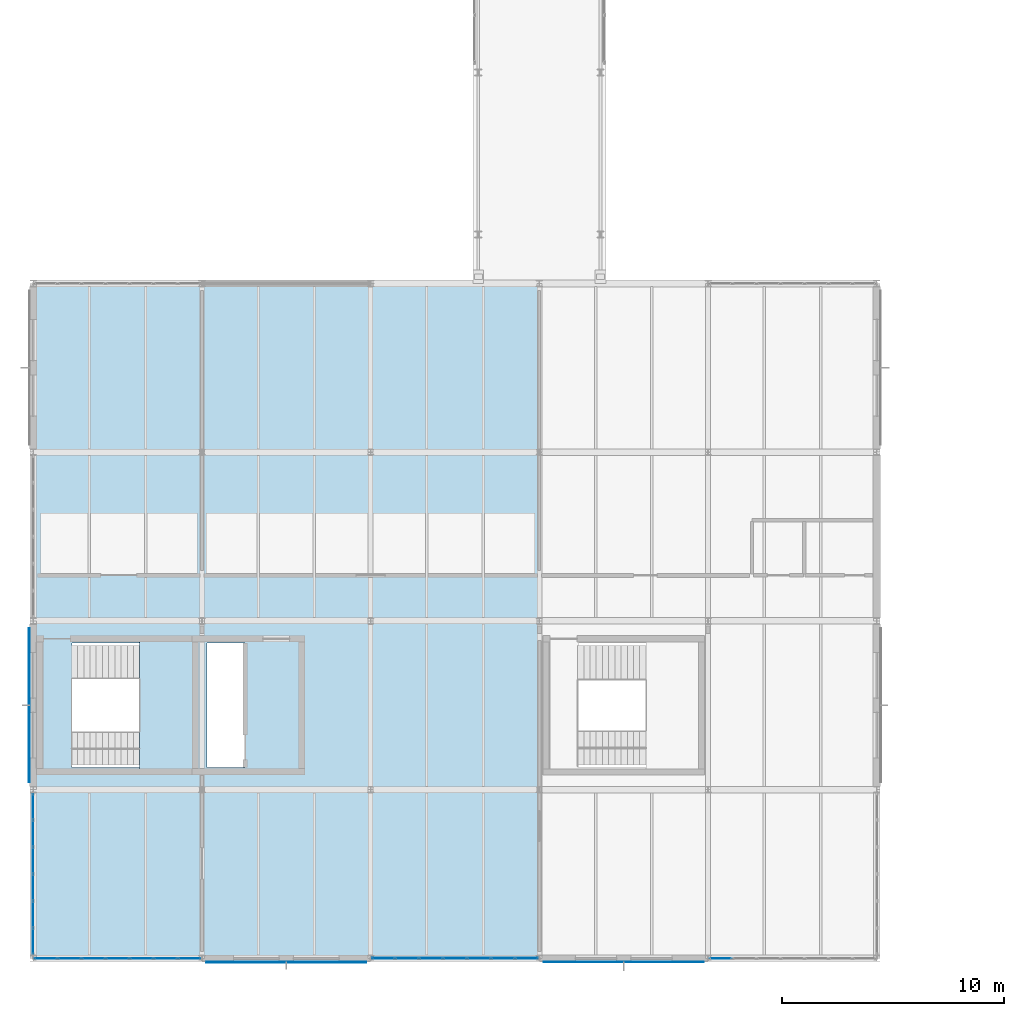
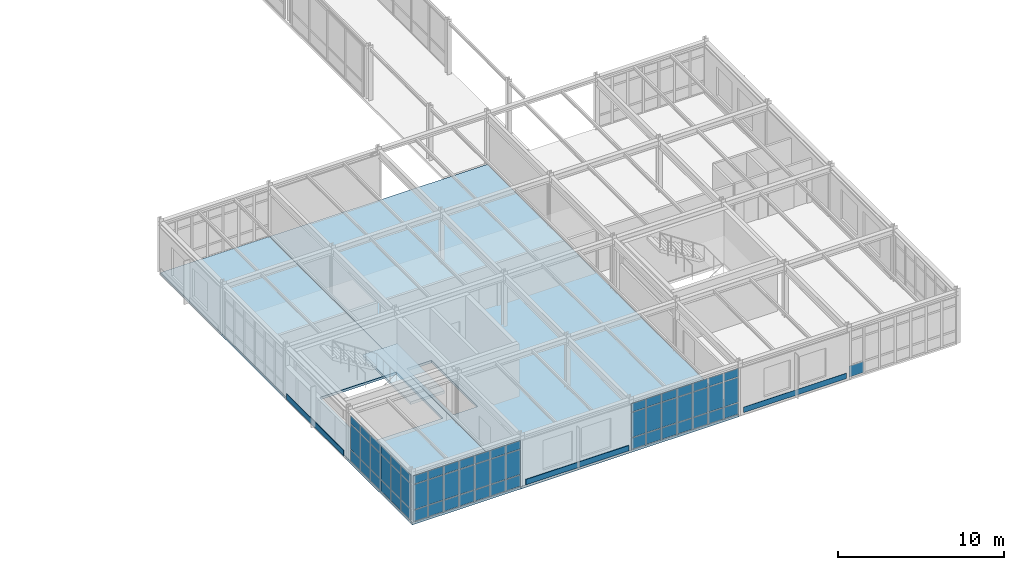
# One storey, part 118 of 165: 64 plates, 3 slabs, 5 elements without a shape of their own.
"""IFC4 building model written with IfcOpenShell, lengths in metres."""

from ifc_helpers import new_model, si_unit, direction, frame, origin, origin_2d, place, context, subcontext, project, spatial, polyline, rectangle, outline, extrude, material, layer, layer_set, type_object, element, aggregate, save


model = new_model("IFC4")

# Units and contexts
model_context = context("Model", 3, precision=1e-05, world=origin(), true_north=direction((0.0, 1.0)))
body_context = subcontext(model_context, "Body", "Model", "MODEL_VIEW")
ifc_project = project(units=[si_unit("LENGTHUNIT", "METRE"), si_unit("AREAUNIT", "SQUARE_METRE"), si_unit("VOLUMEUNIT", "CUBIC_METRE"), si_unit("PLANEANGLEUNIT", "RADIAN"), si_unit("MASSUNIT", "GRAM", prefix="KILO")], contexts=[model_context])

# Site, building, storey
site_placement = place(None, origin())
site = spatial("IfcSite", under=ifc_project, at=site_placement, CompositionType="ELEMENT")
building_placement = place(site_placement, origin())
building = spatial("IfcBuilding", under=site, at=building_placement, Name="Montecoro Central Library", CompositionType="ELEMENT")
storey_placement = place(building_placement, frame((0.0, 0.0, 5.10009765625)))
storey = spatial("IfcBuildingStorey", under=building, at=storey_placement, Name="L01", CompositionType="ELEMENT", Elevation=5.10009765625)

# Curtain wall, plate
ifc_material_1 = material(Name="Bronze-anodised aluminium and low-E glazing", Category="aluminium")
ifc_layer_1 = layer(ifc_material_1, 0.159912109375)
ifc_layer_set_1 = layer_set([ifc_layer_1], Name="Bronze-anodised aluminium and low-E glazing")
curtain_wall_type_1 = type_object("IfcCurtainWallType", Name="CWT-029", PredefinedType="NOTDEFINED", material=ifc_layer_set_1)
curtain_wall_1_placement = place(storey_placement, origin())
curtain_wall_1 = element("IfcCurtainWall", 1, at=curtain_wall_1_placement, inside=storey, type_object=curtain_wall_type_1, Name="V3-L01-CW-S4", PredefinedType="NOTDEFINED")
ifc_material_2 = material(Name="Laminated low-E double glazing", Category="glass")
ifc_layer_2 = layer(ifc_material_2, 0.02587890625)
ifc_layer_set_2 = layer_set([ifc_layer_2], Name="Laminated low-E double glazing")
plate_type_1 = type_object("IfcPlateType", Name="CWP-GLZ-01", PredefinedType="CURTAIN_PANEL", material=ifc_layer_set_2)
plate_1_placement = place(storey_placement, frame((35.961181640625, 5.0, 0.059814453125), z_axis=(0.0, 0.0, 1.0), x_axis=(1.0, 0.0, 0.0)))
plate_1 = element("IfcPlate", 2, at=plate_1_placement, type_object=plate_type_1, Name="CW-029 panel 1.1", PredefinedType="CURTAIN_PANEL", context=body_context, shape_type="SweptSolid", body=[
    extrude(rectangle(XDim=0.99462890625, YDim=0.02587890625, at=origin_2d()), origin(), (0.0, 0.0, 1.0), 0.81005859375),
])
aggregate(curtain_wall_1, [plate_1])

# Curtain wall, plates
curtain_wall_2_placement = place(storey_placement, origin())
curtain_wall_2 = element("IfcCurtainWall", 3, at=curtain_wall_2_placement, inside=storey, type_object=curtain_wall_type_1, Name="V3-L01-CW-S0", PredefinedType="NOTDEFINED")
ifc_layer_3 = layer(ifc_material_2, 0.030029296875)
ifc_layer_set_3 = layer_set([ifc_layer_3], Name="Laminated low-E double glazing")
plate_type_2 = type_object("IfcPlateType", Name="CWP-GLZ-02", PredefinedType="CURTAIN_PANEL", material=ifc_layer_set_3)
plate_2_placement = place(storey_placement, frame((5.561279296875, 5.0, 0.059814453125), z_axis=(0.0, 0.0, 1.0), x_axis=(1.0, 0.0, 0.0)))
plate_2 = element("IfcPlate", 4, at=plate_2_placement, type_object=plate_type_2, Name="CW-029 panel 1.1", PredefinedType="CURTAIN_PANEL", context=body_context, shape_type="SweptSolid", body=[
    extrude(rectangle(XDim=0.99462890625, YDim=0.030029296875, at=origin_2d()), origin(), (0.0, 0.0, 1.0), 0.81005859375),
])
plate_3_placement = place(storey_placement, frame((5.561279296875, 5.0, 0.9296875), z_axis=(0.0, 0.0, 1.0), x_axis=(1.0, 0.0, 0.0)))
plate_3 = element("IfcPlate", 5, at=plate_3_placement, type_object=plate_type_2, Name="CW-029 panel 1.2", PredefinedType="CURTAIN_PANEL", context=body_context, shape_type="SweptSolid", body=[
    extrude(rectangle(XDim=0.99462890625, YDim=0.030029296875, at=origin_2d()), origin(), (0.0, 0.0, 1.0), 1.820068359375),
])
plate_4_placement = place(storey_placement, frame((5.561279296875, 5.0, 2.81005859375), z_axis=(0.0, 0.0, 1.0), x_axis=(1.0, 0.0, 0.0)))
plate_4 = element("IfcPlate", 6, at=plate_4_placement, type_object=plate_type_2, Name="CW-029 panel 1.3", PredefinedType="CURTAIN_PANEL", context=body_context, shape_type="SweptSolid", body=[
    extrude(rectangle(XDim=0.99462890625, YDim=0.030029296875, at=origin_2d()), origin(), (0.0, 0.0, 1.0), 0.610107421875),
])
plate_5_placement = place(storey_placement, frame((6.630859375, 5.0, 0.059814453125), z_axis=(0.0, 0.0, 1.0), x_axis=(1.0, 0.0, 0.0)))
plate_5 = element("IfcPlate", 7, at=plate_5_placement, type_object=plate_type_2, Name="CW-029 panel 2.1", PredefinedType="CURTAIN_PANEL", context=body_context, shape_type="SweptSolid", body=[
    extrude(rectangle(XDim=1.024658203125, YDim=0.030029296875, at=origin_2d()), origin(), (0.0, 0.0, 1.0), 0.81005859375),
])
plate_6_placement = place(storey_placement, frame((6.630859375, 5.0, 0.9296875), z_axis=(0.0, 0.0, 1.0), x_axis=(1.0, 0.0, 0.0)))
plate_6 = element("IfcPlate", 8, at=plate_6_placement, type_object=plate_type_2, Name="CW-029 panel 2.2", PredefinedType="CURTAIN_PANEL", context=body_context, shape_type="SweptSolid", body=[
    extrude(rectangle(XDim=1.024658203125, YDim=0.030029296875, at=origin_2d()), origin(), (0.0, 0.0, 1.0), 1.820068359375),
])
plate_7_placement = place(storey_placement, frame((6.630859375, 5.0, 2.81005859375), z_axis=(0.0, 0.0, 1.0), x_axis=(1.0, 0.0, 0.0)))
plate_7 = element("IfcPlate", 9, at=plate_7_placement, type_object=plate_type_2, Name="CW-029 panel 2.3", PredefinedType="CURTAIN_PANEL", context=body_context, shape_type="SweptSolid", body=[
    extrude(rectangle(XDim=1.024658203125, YDim=0.030029296875, at=origin_2d()), origin(), (0.0, 0.0, 1.0), 0.610107421875),
])
plate_8_placement = place(storey_placement, frame((7.71533203125, 5.0, 0.059814453125), z_axis=(0.0, 0.0, 1.0), x_axis=(1.0, 0.0, 0.0)))
plate_8 = element("IfcPlate", 10, at=plate_8_placement, type_object=plate_type_2, Name="CW-029 panel 3.1", PredefinedType="CURTAIN_PANEL", context=body_context, shape_type="SweptSolid", body=[
    extrude(rectangle(XDim=1.024658203125, YDim=0.030029296875, at=origin_2d()), origin(), (0.0, 0.0, 1.0), 0.81005859375),
])
plate_9_placement = place(storey_placement, frame((7.71533203125, 5.0, 0.9296875), z_axis=(0.0, 0.0, 1.0), x_axis=(1.0, 0.0, 0.0)))
plate_9 = element("IfcPlate", 11, at=plate_9_placement, type_object=plate_type_2, Name="CW-029 panel 3.2", PredefinedType="CURTAIN_PANEL", context=body_context, shape_type="SweptSolid", body=[
    extrude(rectangle(XDim=1.024658203125, YDim=0.030029296875, at=origin_2d()), origin(), (0.0, 0.0, 1.0), 1.820068359375),
])
plate_10_placement = place(storey_placement, frame((7.71533203125, 5.0, 2.81005859375), z_axis=(0.0, 0.0, 1.0), x_axis=(1.0, 0.0, 0.0)))
plate_10 = element("IfcPlate", 12, at=plate_10_placement, type_object=plate_type_2, Name="CW-029 panel 3.3", PredefinedType="CURTAIN_PANEL", context=body_context, shape_type="SweptSolid", body=[
    extrude(rectangle(XDim=1.024658203125, YDim=0.030029296875, at=origin_2d()), origin(), (0.0, 0.0, 1.0), 0.610107421875),
])
plate_11_placement = place(storey_placement, frame((8.800048828125, 5.0, 0.059814453125), z_axis=(0.0, 0.0, 1.0), x_axis=(1.0, 0.0, 0.0)))
plate_11 = element("IfcPlate", 13, at=plate_11_placement, type_object=plate_type_2, Name="CW-029 panel 4.1", PredefinedType="CURTAIN_PANEL", context=body_context, shape_type="SweptSolid", body=[
    extrude(rectangle(XDim=1.024658203125, YDim=0.030029296875, at=origin_2d()), origin(), (0.0, 0.0, 1.0), 0.81005859375),
])
plate_12_placement = place(storey_placement, frame((8.800048828125, 5.0, 0.9296875), z_axis=(0.0, 0.0, 1.0), x_axis=(1.0, 0.0, 0.0)))
plate_12 = element("IfcPlate", 14, at=plate_12_placement, type_object=plate_type_2, Name="CW-029 panel 4.2", PredefinedType="CURTAIN_PANEL", context=body_context, shape_type="SweptSolid", body=[
    extrude(rectangle(XDim=1.024658203125, YDim=0.030029296875, at=origin_2d()), origin(), (0.0, 0.0, 1.0), 1.820068359375),
])
plate_13_placement = place(storey_placement, frame((8.800048828125, 5.0, 2.81005859375), z_axis=(0.0, 0.0, 1.0), x_axis=(1.0, 0.0, 0.0)))
plate_13 = element("IfcPlate", 15, at=plate_13_placement, type_object=plate_type_2, Name="CW-029 panel 4.3", PredefinedType="CURTAIN_PANEL", context=body_context, shape_type="SweptSolid", body=[
    extrude(rectangle(XDim=1.024658203125, YDim=0.030029296875, at=origin_2d()), origin(), (0.0, 0.0, 1.0), 0.610107421875),
])
plate_14_placement = place(storey_placement, frame((9.884521484375, 5.0, 0.059814453125), z_axis=(0.0, 0.0, 1.0), x_axis=(1.0, 0.0, 0.0)))
plate_14 = element("IfcPlate", 16, at=plate_14_placement, type_object=plate_type_2, Name="CW-029 panel 5.1", PredefinedType="CURTAIN_PANEL", context=body_context, shape_type="SweptSolid", body=[
    extrude(rectangle(XDim=1.024658203125, YDim=0.030029296875, at=origin_2d()), origin(), (0.0, 0.0, 1.0), 0.81005859375),
])
plate_15_placement = place(storey_placement, frame((9.884521484375, 5.0, 0.9296875), z_axis=(0.0, 0.0, 1.0), x_axis=(1.0, 0.0, 0.0)))
plate_15 = element("IfcPlate", 17, at=plate_15_placement, type_object=plate_type_2, Name="CW-029 panel 5.2", PredefinedType="CURTAIN_PANEL", context=body_context, shape_type="SweptSolid", body=[
    extrude(rectangle(XDim=1.024658203125, YDim=0.030029296875, at=origin_2d()), origin(), (0.0, 0.0, 1.0), 1.820068359375),
])
plate_16_placement = place(storey_placement, frame((9.884521484375, 5.0, 2.81005859375), z_axis=(0.0, 0.0, 1.0), x_axis=(1.0, 0.0, 0.0)))
plate_16 = element("IfcPlate", 18, at=plate_16_placement, type_object=plate_type_2, Name="CW-029 panel 5.3", PredefinedType="CURTAIN_PANEL", context=body_context, shape_type="SweptSolid", body=[
    extrude(rectangle(XDim=1.024658203125, YDim=0.030029296875, at=origin_2d()), origin(), (0.0, 0.0, 1.0), 0.610107421875),
])
plate_17_placement = place(storey_placement, frame((10.96923828125, 5.0, 0.059814453125), z_axis=(0.0, 0.0, 1.0), x_axis=(1.0, 0.0, 0.0)))
plate_17 = element("IfcPlate", 19, at=plate_17_placement, type_object=plate_type_2, Name="CW-029 panel 6.1", PredefinedType="CURTAIN_PANEL", context=body_context, shape_type="SweptSolid", body=[
    extrude(rectangle(XDim=1.024658203125, YDim=0.030029296875, at=origin_2d()), origin(), (0.0, 0.0, 1.0), 0.81005859375),
])
plate_18_placement = place(storey_placement, frame((10.96923828125, 5.0, 0.9296875), z_axis=(0.0, 0.0, 1.0), x_axis=(1.0, 0.0, 0.0)))
plate_18 = element("IfcPlate", 20, at=plate_18_placement, type_object=plate_type_2, Name="CW-029 panel 6.2", PredefinedType="CURTAIN_PANEL", context=body_context, shape_type="SweptSolid", body=[
    extrude(rectangle(XDim=1.024658203125, YDim=0.030029296875, at=origin_2d()), origin(), (0.0, 0.0, 1.0), 1.820068359375),
])
plate_19_placement = place(storey_placement, frame((10.96923828125, 5.0, 2.81005859375), z_axis=(0.0, 0.0, 1.0), x_axis=(1.0, 0.0, 0.0)))
plate_19 = element("IfcPlate", 21, at=plate_19_placement, type_object=plate_type_2, Name="CW-029 panel 6.3", PredefinedType="CURTAIN_PANEL", context=body_context, shape_type="SweptSolid", body=[
    extrude(rectangle(XDim=1.024658203125, YDim=0.030029296875, at=origin_2d()), origin(), (0.0, 0.0, 1.0), 0.610107421875),
])
plate_20_placement = place(storey_placement, frame((12.038818359375, 5.0, 0.059814453125), z_axis=(0.0, 0.0, 1.0), x_axis=(1.0, 0.0, 0.0)))
plate_20 = element("IfcPlate", 22, at=plate_20_placement, type_object=plate_type_2, Name="CW-029 panel 7.1", PredefinedType="CURTAIN_PANEL", context=body_context, shape_type="SweptSolid", body=[
    extrude(rectangle(XDim=0.99462890625, YDim=0.030029296875, at=origin_2d()), origin(), (0.0, 0.0, 1.0), 0.81005859375),
])
plate_21_placement = place(storey_placement, frame((12.038818359375, 5.0, 0.9296875), z_axis=(0.0, 0.0, 1.0), x_axis=(1.0, 0.0, 0.0)))
plate_21 = element("IfcPlate", 23, at=plate_21_placement, type_object=plate_type_2, Name="CW-029 panel 7.2", PredefinedType="CURTAIN_PANEL", context=body_context, shape_type="SweptSolid", body=[
    extrude(rectangle(XDim=0.99462890625, YDim=0.030029296875, at=origin_2d()), origin(), (0.0, 0.0, 1.0), 1.820068359375),
])
plate_22_placement = place(storey_placement, frame((12.038818359375, 5.0, 2.81005859375), z_axis=(0.0, 0.0, 1.0), x_axis=(1.0, 0.0, 0.0)))
plate_22 = element("IfcPlate", 24, at=plate_22_placement, type_object=plate_type_2, Name="CW-029 panel 7.3", PredefinedType="CURTAIN_PANEL", context=body_context, shape_type="SweptSolid", body=[
    extrude(rectangle(XDim=0.99462890625, YDim=0.030029296875, at=origin_2d()), origin(), (0.0, 0.0, 1.0), 0.610107421875),
])
aggregate(curtain_wall_2, [plate_2, plate_3, plate_4, plate_5, plate_6, plate_7, plate_8, plate_9, plate_10, plate_11, plate_12, plate_13, plate_14, plate_15, plate_16, plate_17, plate_18, plate_19, plate_20, plate_21, plate_22])

ifc_layer_4 = layer(ifc_material_1, 0.159912109375)
ifc_layer_set_4 = layer_set([ifc_layer_4], Name="Bronze-anodised aluminium and low-E glazing")
curtain_wall_type_2 = type_object("IfcCurtainWallType", Name="CWT-032", PredefinedType="NOTDEFINED", material=ifc_layer_set_4)
curtain_wall_3_placement = place(storey_placement, origin())
curtain_wall_3 = element("IfcCurtainWall", 25, at=curtain_wall_3_placement, inside=storey, type_object=curtain_wall_type_2, Name="V3-L01-CW-W0", PredefinedType="NOTDEFINED")
plate_23_placement = place(storey_placement, frame((5.0, 11.836669921875, 0.059814453125), z_axis=(0.0, 0.0, 1.0), x_axis=(0.0, -1.0, 0.0)))
plate_23 = element("IfcPlate", 26, at=plate_23_placement, type_object=plate_type_2, Name="CW-032 panel 1.1", PredefinedType="CURTAIN_PANEL", context=body_context, shape_type="SweptSolid", body=[
    extrude(rectangle(XDim=1.130615234375, YDim=0.030029296875, at=origin_2d()), origin(), (0.0, 0.0, 1.0), 0.81005859375),
])
plate_24_placement = place(storey_placement, frame((5.0, 11.836669921875, 0.9296875), z_axis=(0.0, 0.0, 1.0), x_axis=(0.0, -1.0, 0.0)))
plate_24 = element("IfcPlate", 27, at=plate_24_placement, type_object=plate_type_2, Name="CW-032 panel 1.2", PredefinedType="CURTAIN_PANEL", context=body_context, shape_type="SweptSolid", body=[
    extrude(rectangle(XDim=1.130615234375, YDim=0.030029296875, at=origin_2d()), origin(), (0.0, 0.0, 1.0), 1.820068359375),
])
plate_25_placement = place(storey_placement, frame((5.0, 11.836669921875, 2.81005859375), z_axis=(0.0, 0.0, 1.0), x_axis=(0.0, -1.0, 0.0)))
plate_25 = element("IfcPlate", 28, at=plate_25_placement, type_object=plate_type_2, Name="CW-032 panel 1.3", PredefinedType="CURTAIN_PANEL", context=body_context, shape_type="SweptSolid", body=[
    extrude(rectangle(XDim=1.130615234375, YDim=0.030029296875, at=origin_2d()), origin(), (0.0, 0.0, 1.0), 0.610107421875),
])
plate_26_placement = place(storey_placement, frame((5.0, 10.631103515625, 0.059814453125), z_axis=(0.0, 0.0, 1.0), x_axis=(0.0, -1.0, 0.0)))
plate_26 = element("IfcPlate", 29, at=plate_26_placement, type_object=plate_type_2, Name="CW-032 panel 2.1", PredefinedType="CURTAIN_PANEL", context=body_context, shape_type="SweptSolid", body=[
    extrude(rectangle(XDim=1.16064453125, YDim=0.030029296875, at=origin_2d()), origin(), (0.0, 0.0, 1.0), 0.81005859375),
])
plate_27_placement = place(storey_placement, frame((5.0, 10.631103515625, 0.9296875), z_axis=(0.0, 0.0, 1.0), x_axis=(0.0, -1.0, 0.0)))
plate_27 = element("IfcPlate", 30, at=plate_27_placement, type_object=plate_type_2, Name="CW-032 panel 2.2", PredefinedType="CURTAIN_PANEL", context=body_context, shape_type="SweptSolid", body=[
    extrude(rectangle(XDim=1.16064453125, YDim=0.030029296875, at=origin_2d()), origin(), (0.0, 0.0, 1.0), 1.820068359375),
])
plate_28_placement = place(storey_placement, frame((5.0, 10.631103515625, 2.81005859375), z_axis=(0.0, 0.0, 1.0), x_axis=(0.0, -1.0, 0.0)))
plate_28 = element("IfcPlate", 31, at=plate_28_placement, type_object=plate_type_2, Name="CW-032 panel 2.3", PredefinedType="CURTAIN_PANEL", context=body_context, shape_type="SweptSolid", body=[
    extrude(rectangle(XDim=1.16064453125, YDim=0.030029296875, at=origin_2d()), origin(), (0.0, 0.0, 1.0), 0.610107421875),
])
plate_29_placement = place(storey_placement, frame((5.0, 9.410400390625, 0.059814453125), z_axis=(0.0, 0.0, 1.0), x_axis=(0.0, -1.0, 0.0)))
plate_29 = element("IfcPlate", 32, at=plate_29_placement, type_object=plate_type_2, Name="CW-032 panel 3.1", PredefinedType="CURTAIN_PANEL", context=body_context, shape_type="SweptSolid", body=[
    extrude(rectangle(XDim=1.16064453125, YDim=0.030029296875, at=origin_2d()), origin(), (0.0, 0.0, 1.0), 0.81005859375),
])
plate_30_placement = place(storey_placement, frame((5.0, 9.410400390625, 0.9296875), z_axis=(0.0, 0.0, 1.0), x_axis=(0.0, -1.0, 0.0)))
plate_30 = element("IfcPlate", 33, at=plate_30_placement, type_object=plate_type_2, Name="CW-032 panel 3.2", PredefinedType="CURTAIN_PANEL", context=body_context, shape_type="SweptSolid", body=[
    extrude(rectangle(XDim=1.16064453125, YDim=0.030029296875, at=origin_2d()), origin(), (0.0, 0.0, 1.0), 1.820068359375),
])
plate_31_placement = place(storey_placement, frame((5.0, 9.410400390625, 2.81005859375), z_axis=(0.0, 0.0, 1.0), x_axis=(0.0, -1.0, 0.0)))
plate_31 = element("IfcPlate", 34, at=plate_31_placement, type_object=plate_type_2, Name="CW-032 panel 3.3", PredefinedType="CURTAIN_PANEL", context=body_context, shape_type="SweptSolid", body=[
    extrude(rectangle(XDim=1.16064453125, YDim=0.030029296875, at=origin_2d()), origin(), (0.0, 0.0, 1.0), 0.610107421875),
])
plate_32_placement = place(storey_placement, frame((5.0, 8.189697265625, 0.059814453125), z_axis=(0.0, 0.0, 1.0), x_axis=(0.0, -1.0, 0.0)))
plate_32 = element("IfcPlate", 35, at=plate_32_placement, type_object=plate_type_2, Name="CW-032 panel 4.1", PredefinedType="CURTAIN_PANEL", context=body_context, shape_type="SweptSolid", body=[
    extrude(rectangle(XDim=1.16064453125, YDim=0.030029296875, at=origin_2d()), origin(), (0.0, 0.0, 1.0), 0.81005859375),
])
plate_33_placement = place(storey_placement, frame((5.0, 8.189697265625, 0.9296875), z_axis=(0.0, 0.0, 1.0), x_axis=(0.0, -1.0, 0.0)))
plate_33 = element("IfcPlate", 36, at=plate_33_placement, type_object=plate_type_2, Name="CW-032 panel 4.2", PredefinedType="CURTAIN_PANEL", context=body_context, shape_type="SweptSolid", body=[
    extrude(rectangle(XDim=1.16064453125, YDim=0.030029296875, at=origin_2d()), origin(), (0.0, 0.0, 1.0), 1.820068359375),
])
plate_34_placement = place(storey_placement, frame((5.0, 8.189697265625, 2.81005859375), z_axis=(0.0, 0.0, 1.0), x_axis=(0.0, -1.0, 0.0)))
plate_34 = element("IfcPlate", 37, at=plate_34_placement, type_object=plate_type_2, Name="CW-032 panel 4.3", PredefinedType="CURTAIN_PANEL", context=body_context, shape_type="SweptSolid", body=[
    extrude(rectangle(XDim=1.16064453125, YDim=0.030029296875, at=origin_2d()), origin(), (0.0, 0.0, 1.0), 0.610107421875),
])
plate_35_placement = place(storey_placement, frame((5.0, 6.968994140625, 0.059814453125), z_axis=(0.0, 0.0, 1.0), x_axis=(0.0, -1.0, 0.0)))
plate_35 = element("IfcPlate", 38, at=plate_35_placement, type_object=plate_type_2, Name="CW-032 panel 5.1", PredefinedType="CURTAIN_PANEL", context=body_context, shape_type="SweptSolid", body=[
    extrude(rectangle(XDim=1.16064453125, YDim=0.030029296875, at=origin_2d()), origin(), (0.0, 0.0, 1.0), 0.81005859375),
])
plate_36_placement = place(storey_placement, frame((5.0, 6.968994140625, 0.9296875), z_axis=(0.0, 0.0, 1.0), x_axis=(0.0, -1.0, 0.0)))
plate_36 = element("IfcPlate", 39, at=plate_36_placement, type_object=plate_type_2, Name="CW-032 panel 5.2", PredefinedType="CURTAIN_PANEL", context=body_context, shape_type="SweptSolid", body=[
    extrude(rectangle(XDim=1.16064453125, YDim=0.030029296875, at=origin_2d()), origin(), (0.0, 0.0, 1.0), 1.820068359375),
])
plate_37_placement = place(storey_placement, frame((5.0, 6.968994140625, 2.81005859375), z_axis=(0.0, 0.0, 1.0), x_axis=(0.0, -1.0, 0.0)))
plate_37 = element("IfcPlate", 40, at=plate_37_placement, type_object=plate_type_2, Name="CW-032 panel 5.3", PredefinedType="CURTAIN_PANEL", context=body_context, shape_type="SweptSolid", body=[
    extrude(rectangle(XDim=1.16064453125, YDim=0.030029296875, at=origin_2d()), origin(), (0.0, 0.0, 1.0), 0.610107421875),
])
plate_38_placement = place(storey_placement, frame((5.0, 5.763427734375, 0.059814453125), z_axis=(0.0, 0.0, 1.0), x_axis=(0.0, -1.0, 0.0)))
plate_38 = element("IfcPlate", 41, at=plate_38_placement, type_object=plate_type_2, Name="CW-032 panel 6.1", PredefinedType="CURTAIN_PANEL", context=body_context, shape_type="SweptSolid", body=[
    extrude(rectangle(XDim=1.130615234375, YDim=0.030029296875, at=origin_2d()), origin(), (0.0, 0.0, 1.0), 0.81005859375),
])
plate_39_placement = place(storey_placement, frame((5.0, 5.763427734375, 0.9296875), z_axis=(0.0, 0.0, 1.0), x_axis=(0.0, -1.0, 0.0)))
plate_39 = element("IfcPlate", 42, at=plate_39_placement, type_object=plate_type_2, Name="CW-032 panel 6.2", PredefinedType="CURTAIN_PANEL", context=body_context, shape_type="SweptSolid", body=[
    extrude(rectangle(XDim=1.130615234375, YDim=0.030029296875, at=origin_2d()), origin(), (0.0, 0.0, 1.0), 1.820068359375),
])
plate_40_placement = place(storey_placement, frame((5.0, 5.763427734375, 2.81005859375), z_axis=(0.0, 0.0, 1.0), x_axis=(0.0, -1.0, 0.0)))
plate_40 = element("IfcPlate", 43, at=plate_40_placement, type_object=plate_type_2, Name="CW-032 panel 6.3", PredefinedType="CURTAIN_PANEL", context=body_context, shape_type="SweptSolid", body=[
    extrude(rectangle(XDim=1.130615234375, YDim=0.030029296875, at=origin_2d()), origin(), (0.0, 0.0, 1.0), 0.610107421875),
])
aggregate(curtain_wall_3, [plate_23, plate_24, plate_25, plate_26, plate_27, plate_28, plate_29, plate_30, plate_31, plate_32, plate_33, plate_34, plate_35, plate_36, plate_37, plate_38, plate_39, plate_40])

curtain_wall_4_placement = place(storey_placement, origin())
curtain_wall_4 = element("IfcCurtainWall", 44, at=curtain_wall_4_placement, inside=storey, type_object=curtain_wall_type_1, Name="V3-L01-CW-S2", PredefinedType="NOTDEFINED")
ifc_layer_5 = layer(ifc_material_2, 0.0380859375)
ifc_layer_set_5 = layer_set([ifc_layer_5], Name="Laminated low-E double glazing")
plate_type_3 = type_object("IfcPlateType", Name="CWP-GLZ-04", PredefinedType="CURTAIN_PANEL", material=ifc_layer_set_5)
plate_41_placement = place(storey_placement, frame((20.76123046875, 5.0, 0.059814453125), z_axis=(0.0, 0.0, 1.0), x_axis=(1.0, 0.0, 0.0)))
plate_41 = element("IfcPlate", 45, at=plate_41_placement, type_object=plate_type_3, Name="CW-029 panel 1.1", PredefinedType="CURTAIN_PANEL", context=body_context, shape_type="SweptSolid", body=[
    extrude(rectangle(XDim=0.99462890625, YDim=0.0380859375, at=origin_2d()), origin(), (0.0, 0.0, 1.0), 0.81005859375),
])
plate_42_placement = place(storey_placement, frame((20.76123046875, 5.0, 0.9296875), z_axis=(0.0, 0.0, 1.0), x_axis=(1.0, 0.0, 0.0)))
plate_42 = element("IfcPlate", 46, at=plate_42_placement, type_object=plate_type_3, Name="CW-029 panel 1.2", PredefinedType="CURTAIN_PANEL", context=body_context, shape_type="SweptSolid", body=[
    extrude(rectangle(XDim=0.99462890625, YDim=0.0380859375, at=origin_2d()), origin(), (0.0, 0.0, 1.0), 1.820068359375),
])
plate_43_placement = place(storey_placement, frame((20.76123046875, 5.0, 2.81005859375), z_axis=(0.0, 0.0, 1.0), x_axis=(1.0, 0.0, 0.0)))
plate_43 = element("IfcPlate", 47, at=plate_43_placement, type_object=plate_type_3, Name="CW-029 panel 1.3", PredefinedType="CURTAIN_PANEL", context=body_context, shape_type="SweptSolid", body=[
    extrude(rectangle(XDim=0.99462890625, YDim=0.0380859375, at=origin_2d()), origin(), (0.0, 0.0, 1.0), 0.610107421875),
])
plate_44_placement = place(storey_placement, frame((21.830810546875, 5.0, 0.059814453125), z_axis=(0.0, 0.0, 1.0), x_axis=(1.0, 0.0, 0.0)))
plate_44 = element("IfcPlate", 48, at=plate_44_placement, type_object=plate_type_3, Name="CW-029 panel 2.1", PredefinedType="CURTAIN_PANEL", context=body_context, shape_type="SweptSolid", body=[
    extrude(rectangle(XDim=1.024658203125, YDim=0.0380859375, at=origin_2d()), origin(), (0.0, 0.0, 1.0), 0.81005859375),
])
plate_45_placement = place(storey_placement, frame((21.830810546875, 5.0, 0.9296875), z_axis=(0.0, 0.0, 1.0), x_axis=(1.0, 0.0, 0.0)))
plate_45 = element("IfcPlate", 49, at=plate_45_placement, type_object=plate_type_3, Name="CW-029 panel 2.2", PredefinedType="CURTAIN_PANEL", context=body_context, shape_type="SweptSolid", body=[
    extrude(rectangle(XDim=1.024658203125, YDim=0.0380859375, at=origin_2d()), origin(), (0.0, 0.0, 1.0), 1.820068359375),
])
plate_46_placement = place(storey_placement, frame((21.830810546875, 5.0, 2.81005859375), z_axis=(0.0, 0.0, 1.0), x_axis=(1.0, 0.0, 0.0)))
plate_46 = element("IfcPlate", 50, at=plate_46_placement, type_object=plate_type_3, Name="CW-029 panel 2.3", PredefinedType="CURTAIN_PANEL", context=body_context, shape_type="SweptSolid", body=[
    extrude(rectangle(XDim=1.024658203125, YDim=0.0380859375, at=origin_2d()), origin(), (0.0, 0.0, 1.0), 0.610107421875),
])
plate_47_placement = place(storey_placement, frame((22.91552734375, 5.0, 0.059814453125), z_axis=(0.0, 0.0, 1.0), x_axis=(1.0, 0.0, 0.0)))
plate_47 = element("IfcPlate", 51, at=plate_47_placement, type_object=plate_type_3, Name="CW-029 panel 3.1", PredefinedType="CURTAIN_PANEL", context=body_context, shape_type="SweptSolid", body=[
    extrude(rectangle(XDim=1.024658203125, YDim=0.0380859375, at=origin_2d()), origin(), (0.0, 0.0, 1.0), 0.81005859375),
])
plate_48_placement = place(storey_placement, frame((22.91552734375, 5.0, 0.9296875), z_axis=(0.0, 0.0, 1.0), x_axis=(1.0, 0.0, 0.0)))
plate_48 = element("IfcPlate", 52, at=plate_48_placement, type_object=plate_type_3, Name="CW-029 panel 3.2", PredefinedType="CURTAIN_PANEL", context=body_context, shape_type="SweptSolid", body=[
    extrude(rectangle(XDim=1.024658203125, YDim=0.0380859375, at=origin_2d()), origin(), (0.0, 0.0, 1.0), 1.820068359375),
])
plate_49_placement = place(storey_placement, frame((22.91552734375, 5.0, 2.81005859375), z_axis=(0.0, 0.0, 1.0), x_axis=(1.0, 0.0, 0.0)))
plate_49 = element("IfcPlate", 53, at=plate_49_placement, type_object=plate_type_3, Name="CW-029 panel 3.3", PredefinedType="CURTAIN_PANEL", context=body_context, shape_type="SweptSolid", body=[
    extrude(rectangle(XDim=1.024658203125, YDim=0.0380859375, at=origin_2d()), origin(), (0.0, 0.0, 1.0), 0.610107421875),
])
plate_50_placement = place(storey_placement, frame((24.0, 5.0, 0.059814453125), z_axis=(0.0, 0.0, 1.0), x_axis=(1.0, 0.0, 0.0)))
plate_50 = element("IfcPlate", 54, at=plate_50_placement, type_object=plate_type_3, Name="CW-029 panel 4.1", PredefinedType="CURTAIN_PANEL", context=body_context, shape_type="SweptSolid", body=[
    extrude(rectangle(XDim=1.024658203125, YDim=0.0380859375, at=origin_2d()), origin(), (0.0, 0.0, 1.0), 0.81005859375),
])
plate_51_placement = place(storey_placement, frame((24.0, 5.0, 0.9296875), z_axis=(0.0, 0.0, 1.0), x_axis=(1.0, 0.0, 0.0)))
plate_51 = element("IfcPlate", 55, at=plate_51_placement, type_object=plate_type_3, Name="CW-029 panel 4.2", PredefinedType="CURTAIN_PANEL", context=body_context, shape_type="SweptSolid", body=[
    extrude(rectangle(XDim=1.024658203125, YDim=0.0380859375, at=origin_2d()), origin(), (0.0, 0.0, 1.0), 1.820068359375),
])
plate_52_placement = place(storey_placement, frame((24.0, 5.0, 2.81005859375), z_axis=(0.0, 0.0, 1.0), x_axis=(1.0, 0.0, 0.0)))
plate_52 = element("IfcPlate", 56, at=plate_52_placement, type_object=plate_type_3, Name="CW-029 panel 4.3", PredefinedType="CURTAIN_PANEL", context=body_context, shape_type="SweptSolid", body=[
    extrude(rectangle(XDim=1.024658203125, YDim=0.0380859375, at=origin_2d()), origin(), (0.0, 0.0, 1.0), 0.610107421875),
])
plate_53_placement = place(storey_placement, frame((25.08447265625, 5.0, 0.059814453125), z_axis=(0.0, 0.0, 1.0), x_axis=(1.0, 0.0, 0.0)))
plate_53 = element("IfcPlate", 57, at=plate_53_placement, type_object=plate_type_3, Name="CW-029 panel 5.1", PredefinedType="CURTAIN_PANEL", context=body_context, shape_type="SweptSolid", body=[
    extrude(rectangle(XDim=1.024658203125, YDim=0.0380859375, at=origin_2d()), origin(), (0.0, 0.0, 1.0), 0.81005859375),
])
plate_54_placement = place(storey_placement, frame((25.08447265625, 5.0, 0.9296875), z_axis=(0.0, 0.0, 1.0), x_axis=(1.0, 0.0, 0.0)))
plate_54 = element("IfcPlate", 58, at=plate_54_placement, type_object=plate_type_3, Name="CW-029 panel 5.2", PredefinedType="CURTAIN_PANEL", context=body_context, shape_type="SweptSolid", body=[
    extrude(rectangle(XDim=1.024658203125, YDim=0.0380859375, at=origin_2d()), origin(), (0.0, 0.0, 1.0), 1.820068359375),
])
plate_55_placement = place(storey_placement, frame((25.08447265625, 5.0, 2.81005859375), z_axis=(0.0, 0.0, 1.0), x_axis=(1.0, 0.0, 0.0)))
plate_55 = element("IfcPlate", 59, at=plate_55_placement, type_object=plate_type_3, Name="CW-029 panel 5.3", PredefinedType="CURTAIN_PANEL", context=body_context, shape_type="SweptSolid", body=[
    extrude(rectangle(XDim=1.024658203125, YDim=0.0380859375, at=origin_2d()), origin(), (0.0, 0.0, 1.0), 0.610107421875),
])
plate_56_placement = place(storey_placement, frame((26.169189453125, 5.0, 0.059814453125), z_axis=(0.0, 0.0, 1.0), x_axis=(1.0, 0.0, 0.0)))
plate_56 = element("IfcPlate", 60, at=plate_56_placement, type_object=plate_type_3, Name="CW-029 panel 6.1", PredefinedType="CURTAIN_PANEL", context=body_context, shape_type="SweptSolid", body=[
    extrude(rectangle(XDim=1.024658203125, YDim=0.0380859375, at=origin_2d()), origin(), (0.0, 0.0, 1.0), 0.81005859375),
])
plate_57_placement = place(storey_placement, frame((26.169189453125, 5.0, 0.9296875), z_axis=(0.0, 0.0, 1.0), x_axis=(1.0, 0.0, 0.0)))
plate_57 = element("IfcPlate", 61, at=plate_57_placement, type_object=plate_type_3, Name="CW-029 panel 6.2", PredefinedType="CURTAIN_PANEL", context=body_context, shape_type="SweptSolid", body=[
    extrude(rectangle(XDim=1.024658203125, YDim=0.0380859375, at=origin_2d()), origin(), (0.0, 0.0, 1.0), 1.820068359375),
])
plate_58_placement = place(storey_placement, frame((26.169189453125, 5.0, 2.81005859375), z_axis=(0.0, 0.0, 1.0), x_axis=(1.0, 0.0, 0.0)))
plate_58 = element("IfcPlate", 62, at=plate_58_placement, type_object=plate_type_3, Name="CW-029 panel 6.3", PredefinedType="CURTAIN_PANEL", context=body_context, shape_type="SweptSolid", body=[
    extrude(rectangle(XDim=1.024658203125, YDim=0.0380859375, at=origin_2d()), origin(), (0.0, 0.0, 1.0), 0.610107421875),
])
plate_59_placement = place(storey_placement, frame((27.23876953125, 5.0, 0.059814453125), z_axis=(0.0, 0.0, 1.0), x_axis=(1.0, 0.0, 0.0)))
plate_59 = element("IfcPlate", 63, at=plate_59_placement, type_object=plate_type_3, Name="CW-029 panel 7.1", PredefinedType="CURTAIN_PANEL", context=body_context, shape_type="SweptSolid", body=[
    extrude(rectangle(XDim=0.99462890625, YDim=0.0380859375, at=origin_2d()), origin(), (0.0, 0.0, 1.0), 0.81005859375),
])
plate_60_placement = place(storey_placement, frame((27.23876953125, 5.0, 0.9296875), z_axis=(0.0, 0.0, 1.0), x_axis=(1.0, 0.0, 0.0)))
plate_60 = element("IfcPlate", 64, at=plate_60_placement, type_object=plate_type_3, Name="CW-029 panel 7.2", PredefinedType="CURTAIN_PANEL", context=body_context, shape_type="SweptSolid", body=[
    extrude(rectangle(XDim=0.99462890625, YDim=0.0380859375, at=origin_2d()), origin(), (0.0, 0.0, 1.0), 1.820068359375),
])
plate_61_placement = place(storey_placement, frame((27.23876953125, 5.0, 2.81005859375), z_axis=(0.0, 0.0, 1.0), x_axis=(1.0, 0.0, 0.0)))
plate_61 = element("IfcPlate", 65, at=plate_61_placement, type_object=plate_type_3, Name="CW-029 panel 7.3", PredefinedType="CURTAIN_PANEL", context=body_context, shape_type="SweptSolid", body=[
    extrude(rectangle(XDim=0.99462890625, YDim=0.0380859375, at=origin_2d()), origin(), (0.0, 0.0, 1.0), 0.610107421875),
])
aggregate(curtain_wall_4, [plate_41, plate_42, plate_43, plate_44, plate_45, plate_46, plate_47, plate_48, plate_49, plate_50, plate_51, plate_52, plate_53, plate_54, plate_55, plate_56, plate_57, plate_58, plate_59, plate_60, plate_61])

# Plates
ifc_material_3 = material(Name="Architectural bronze spandrel plate", Category="aluminium")
ifc_layer_6 = layer(ifc_material_3, 0.02197265625)
ifc_layer_set_6 = layer_set([ifc_layer_6], Name="Architectural bronze spandrel plate")
plate_type_4 = type_object("IfcPlateType", Name="PLT-SPN-01", PredefinedType="SHEET", material=ifc_layer_set_6)
plate_62_placement = place(storey_placement, frame((31.60009765625, 4.826416015625, 0.159912109375), z_axis=(0.0, 0.0, 1.0), x_axis=(1.0, 0.0, 0.0)))
element("IfcPlate", 66, at=plate_62_placement, inside=storey, type_object=plate_type_4, Name="V3-L01-SPN-S3", PredefinedType="SHEET", context=body_context, shape_type="SweptSolid", body=[
    extrude(rectangle(XDim=7.19189453125, YDim=0.02197265625, at=origin_2d()), origin(), (0.0, 0.0, 1.0), 0.39990234375),
])
ifc_layer_7 = layer(ifc_material_3, 0.035888671875)
ifc_layer_set_7 = layer_set([ifc_layer_7], Name="Architectural bronze spandrel plate")
plate_type_5 = type_object("IfcPlateType", Name="PLT-SPN-03", PredefinedType="SHEET", material=ifc_layer_set_7)
plate_63_placement = place(storey_placement, frame((16.39990234375, 4.819580078125, 0.159912109375), z_axis=(0.0, 0.0, 1.0), x_axis=(1.0, 0.0, 0.0)))
element("IfcPlate", 67, at=plate_63_placement, inside=storey, type_object=plate_type_5, Name="V3-L01-SPN-S1", PredefinedType="SHEET", context=body_context, shape_type="SweptSolid", body=[
    extrude(rectangle(XDim=7.19189453125, YDim=0.035888671875, at=origin_2d()), origin(), (0.0, 0.0, 1.0), 0.39990234375),
])
plate_64_placement = place(storey_placement, frame((4.819580078125, 16.39990234375, 0.159912109375), z_axis=(0.0, 0.0, 1.0), x_axis=(0.0, -1.0, 0.0)))
element("IfcPlate", 68, at=plate_64_placement, inside=storey, type_object=plate_type_5, Name="V3-L01-SPN-W1", PredefinedType="SHEET", context=body_context, shape_type="SweptSolid", body=[
    extrude(rectangle(XDim=6.924072265625, YDim=0.035888671875, at=origin_2d()), origin(), (0.0, 0.0, 1.0), 0.39990234375),
])

# Slabs
ifc_material_4 = material(Name="Concrete C32/40", Category="concrete")
ifc_layer_8 = layer(ifc_material_4, 0.179931640625)
ifc_layer_set_8 = layer_set([ifc_layer_8], Name="Concrete C32/40")
slab_type_1 = type_object("IfcSlabType", Name="SL-FLR-180", PredefinedType="FLOOR", material=ifc_layer_set_8)
slab_1_placement = place(storey_placement, frame((0.0, 0.0, -0.18017578125)))
element("IfcSlab", 69, at=slab_1_placement, inside=storey, type_object=slab_type_1, Name="V3-L01-SL1", PredefinedType="FLOOR", context=body_context, shape_type="SweptSolid", body=[
    extrude(outline(polyline([(5.0, 5.0), (12.60009765625, 5.0), (12.60009765625, 35.39990234375), (5.0, 35.39990234375), (5.0, 5.0)]), holes=[polyline([(6.760009765625, 19.199951171875), (12.10009765625, 19.199951171875), (12.10009765625, 13.60009765625), (6.760009765625, 13.60009765625), (6.760009765625, 19.199951171875)])]), origin(), (0.0, 0.0, 1.0), 0.18017578125),
])
slab_2_placement = place(storey_placement, frame((0.0, 0.0, -0.18017578125)))
element("IfcSlab", 70, at=slab_2_placement, inside=storey, type_object=slab_type_1, Name="V3-L01-SL2", PredefinedType="FLOOR", context=body_context, shape_type="SweptSolid", body=[
    extrude(outline(polyline([(12.60009765625, 5.0), (27.800048828125, 5.0), (27.800048828125, 35.39990234375), (12.60009765625, 35.39990234375), (12.60009765625, 5.0)]), holes=[polyline([(12.820068359375, 19.199951171875), (14.550048828125, 19.199951171875), (14.550048828125, 13.60009765625), (12.820068359375, 13.60009765625), (12.820068359375, 19.199951171875)])]), origin(), (0.0, 0.0, 1.0), 0.18017578125),
])

# Stair, slab
ifc_material_5 = material(Name="Concrete C35/45", Category="concrete")
stair_type = type_object("IfcStairType", Name="STR-RET-150", PredefinedType="HALF_TURN_STAIR", material=ifc_material_5)
stair_placement = place(storey_placement, origin())
stair = element("IfcStair", 71, at=stair_placement, inside=storey, type_object=stair_type, Name="C4-L01-STR", PredefinedType="HALF_TURN_STAIR")
ifc_layer_9 = layer(ifc_material_5, 0.199951171875)
ifc_layer_set_9 = layer_set([ifc_layer_9], Name="Concrete C35/45")
slab_type_2 = type_object("IfcSlabType", Name="SL-LND-200", PredefinedType="LANDING", material=ifc_layer_set_9)
slab_3_placement = place(storey_placement, frame((0.0, 0.0, 1.83984375)))
slab_3 = element("IfcSlab", 72, at=slab_3_placement, type_object=slab_type_2, Name="ST-04 landing 1", PredefinedType="LANDING", context=body_context, shape_type="SweptSolid", body=[
    extrude(outline(polyline([(9.800048828125, 13.52001953125), (12.179931640625, 13.52001953125), (12.179931640625, 19.280029296875), (9.800048828125, 19.280029296875), (9.800048828125, 13.52001953125)])), origin(), (0.0, 0.0, 1.0), 0.199951171875),
])
aggregate(stair, [slab_3])

save(model, "model.ifc")
